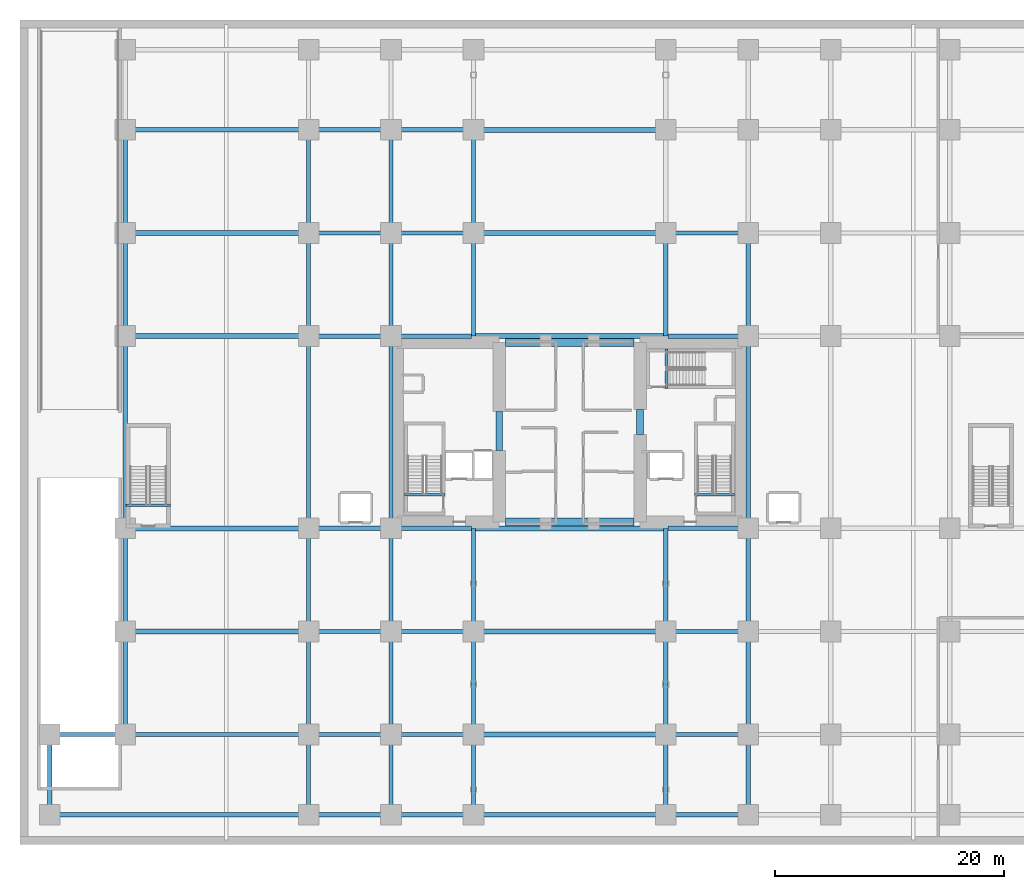
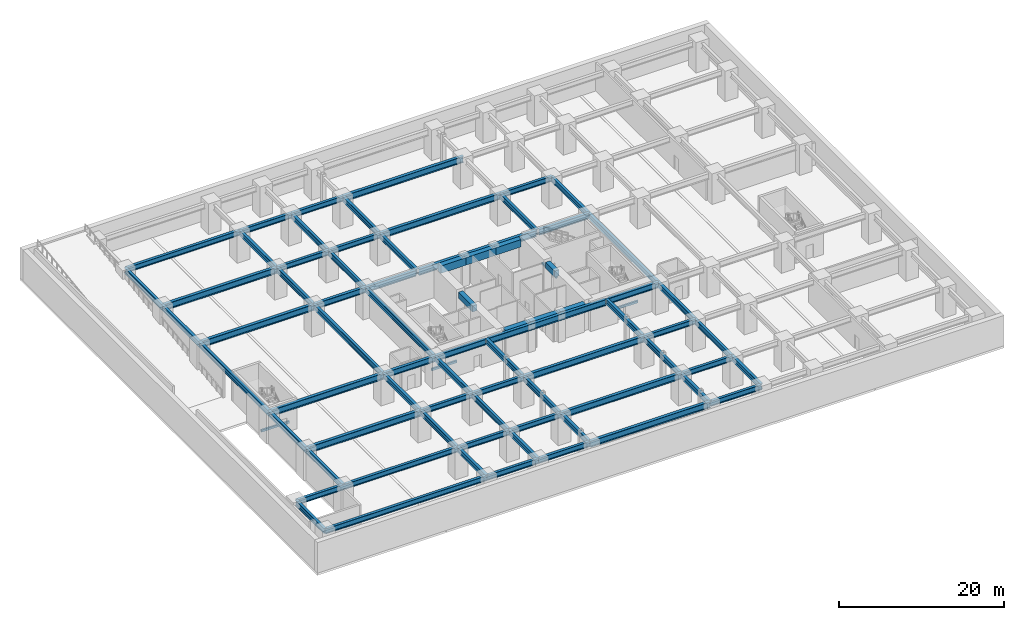
# One storey, part 4 of 20: 78 beams.
"""IFC4 building model written with IfcOpenShell, lengths in metres."""

from ifc_helpers import new_model, si_unit, direction, frame, origin, origin_2d, place, context, subcontext, project, spatial, rectangle, i_section, extrude, material, material_profile, profile_set, type_object, element, save


model = new_model("IFC4")

# Units and contexts
model_context = context("Model", 3, precision=1e-05, world=origin(), true_north=direction((0.0, 1.0)))
body_context = subcontext(model_context, "Body", "Model", "MODEL_VIEW")
ifc_project = project(units=[si_unit("LENGTHUNIT", "METRE"), si_unit("AREAUNIT", "SQUARE_METRE"), si_unit("VOLUMEUNIT", "CUBIC_METRE"), si_unit("PLANEANGLEUNIT", "RADIAN"), si_unit("MASSUNIT", "GRAM", prefix="KILO")], contexts=[model_context])

# Site, building, storey
site_placement = place(None, origin())
site = spatial("IfcSite", under=ifc_project, at=site_placement, CompositionType="ELEMENT")
building_placement = place(site_placement, origin())
building = spatial("IfcBuilding", under=site, at=building_placement, Name="Kiyonajd Concourse Tower", CompositionType="ELEMENT")
storey_placement = place(building_placement, frame((0.0, 0.0, -4.5)))
storey = spatial("IfcBuildingStorey", under=building, at=storey_placement, Name="B1", CompositionType="ELEMENT", Elevation=-4.5)

# Beams
ifc_material_1 = material(Name="Steel ASTM A992 Grade 50", Category="steel")
ifc_material_profile_1 = material_profile(ifc_material_1, i_section(OverallWidth=0.423095703125, OverallDepth=0.93310546875, WebThickness=0.02392578125, FlangeThickness=0.042724609375, at=origin_2d()), Name="W920X446")
ifc_profile_set_1 = profile_set([ifc_material_profile_1], Name="Steel ASTM A992 Grade 50")
beam_type_1 = type_object("IfcBeamType", Name="BM-AUD-920A", PredefinedType="BEAM", material=ifc_profile_set_1)
for number, where, z_axis, x_axis, name in (
    (1, (9.199951171875, 18.60009765625, 3.71337890625), (1.0, 0.0, 0.0), (0.0, 1.0, 0.0), "B1 Auditorium Clear Span Girder"),
    (2, (9.199951171875, 27.60009765625, 3.71337890625), (1.0, 0.0, 0.0), (0.0, 1.0, 0.0), "B1 Auditorium Clear Span Girder"),
    (3, (9.199951171875, 44.39990234375, 3.71337890625), (1.0, 0.0, 0.0), (0.0, 1.0, 0.0), "B1 Auditorium Clear Span Girder"),
    (4, (9.199951171875, 53.39990234375, 3.71337890625), (1.0, 0.0, 0.0), (0.0, 1.0, 0.0), "B1 Auditorium Clear Span Girder"),
):
    element("IfcBeam", number, at=place(storey_placement, frame(where, z_axis=z_axis, x_axis=x_axis)), inside=storey, type_object=beam_type_1, Name=name, PredefinedType="BEAM", context=body_context, shape_type="SweptSolid", body=[
        extrude(i_section(OverallWidth=0.423095703125, OverallDepth=0.93310546875, WebThickness=0.02392578125, FlangeThickness=0.042724609375, at=origin_2d()), origin(), (0.0, 0.0, 1.0), 16.0),
    ])
ifc_material_profile_2 = material_profile(ifc_material_1, i_section(OverallWidth=0.41796875, OverallDepth=0.912109375, WebThickness=0.019287109375, FlangeThickness=0.031982421875, at=origin_2d()), Name="W920X342")
ifc_profile_set_2 = profile_set([ifc_material_profile_2], Name="Steel ASTM A992 Grade 50")
beam_type_2 = type_object("IfcBeamType", Name="BM-CON-920B", PredefinedType="BEAM", material=ifc_profile_set_2)
for number, where, z_axis, x_axis, name in (
    (5, (39.60009765625, 2.60009765625, 3.72412109375), (1.0, 0.0, 0.0), (0.0, 1.0, 0.0), "B1 Concourse Clear Span Girder"),
    (6, (39.60009765625, 9.60009765625, 3.72412109375), (1.0, 0.0, 0.0), (0.0, 1.0, 0.0), "B1 Concourse Clear Span Girder"),
    (7, (39.60009765625, 18.60009765625, 3.72412109375), (1.0, 0.0, 0.0), (0.0, 1.0, 0.0), "B1 Concourse Clear Span Girder"),
):
    element("IfcBeam", number, at=place(storey_placement, frame(where, z_axis=z_axis, x_axis=x_axis)), inside=storey, type_object=beam_type_2, Name=name, PredefinedType="BEAM", context=body_context, shape_type="SweptSolid", body=[
        extrude(i_section(OverallWidth=0.41796875, OverallDepth=0.912109375, WebThickness=0.019287109375, FlangeThickness=0.031982421875, at=origin_2d()), origin(), (0.0, 0.0, 1.0), 16.7998046875),
    ])
for number, where, z_axis, x_axis, name in (
    (8, (39.79052734375, 27.60009765625, 3.72412109375), (1.0, 0.0, 0.0), (0.0, 1.0, 0.0), "B1 Concourse Clear Span Girder"),
    (9, (39.79052734375, 44.39990234375, 3.72412109375), (1.0, 0.0, 0.0), (0.0, 1.0, 0.0), "B1 Concourse Clear Span Girder"),
):
    element("IfcBeam", number, at=place(storey_placement, frame(where, z_axis=z_axis, x_axis=x_axis)), inside=storey, type_object=beam_type_2, Name=name, PredefinedType="BEAM", context=body_context, shape_type="SweptSolid", body=[
        extrude(i_section(OverallWidth=0.41796875, OverallDepth=0.912109375, WebThickness=0.019287109375, FlangeThickness=0.031982421875, at=origin_2d()), origin(), (0.0, 0.0, 1.0), 16.4189453125),
    ])
for number, where, z_axis, x_axis, name in (
    (10, (39.60009765625, 53.39990234375, 3.72412109375), (1.0, 0.0, 0.0), (0.0, 1.0, 0.0), "B1 Concourse Clear Span Girder"),
    (11, (39.60009765625, 62.39990234375, 3.72412109375), (1.0, 0.0, 0.0), (0.0, 1.0, 0.0), "B1 Concourse Clear Span Girder"),
):
    element("IfcBeam", number, at=place(storey_placement, frame(where, z_axis=z_axis, x_axis=x_axis)), inside=storey, type_object=beam_type_2, Name=name, PredefinedType="BEAM", context=body_context, shape_type="SweptSolid", body=[
        extrude(i_section(OverallWidth=0.41796875, OverallDepth=0.912109375, WebThickness=0.019287109375, FlangeThickness=0.031982421875, at=origin_2d()), origin(), (0.0, 0.0, 1.0), 16.7998046875),
    ])
ifc_material_2 = material(Name="Concrete C70/85", Category="concrete")
ifc_material_profile_3 = material_profile(ifc_material_2, rectangle(XDim=0.699951171875, YDim=1.10009765625, at=origin_2d()), Name="RCBM-700x1100")
ifc_profile_set_3 = profile_set([ifc_material_profile_3], Name="Concrete C70/85")
beam_type_3 = type_object("IfcBeamType", Name="BM-COUP-1100", PredefinedType="LINTEL", material=ifc_profile_set_3)
beam_1_placement = place(storey_placement, frame((42.39990234375, 28.14990234375, 3.6298828125), z_axis=(1.0, 0.0, 0.0), x_axis=(0.0, 1.0, 0.0)))
element("IfcBeam", 12, at=beam_1_placement, inside=storey, type_object=beam_type_3, Name="B1 Core Coupling Beam S1", PredefinedType="LINTEL", context=body_context, shape_type="SweptSolid", body=[
    extrude(rectangle(XDim=0.699951171875, YDim=1.10009765625, at=origin_2d()), origin(), (0.0, 0.0, 1.0), 3.5),
])
beam_2_placement = place(storey_placement, frame((45.89990234375, 28.14990234375, 3.6298828125), z_axis=(1.0, 0.0, 0.0), x_axis=(0.0, 1.0, 0.0)))
element("IfcBeam", 13, at=beam_2_placement, inside=storey, type_object=beam_type_3, Name="B1 Core Coupling Beam S2", PredefinedType="LINTEL", context=body_context, shape_type="SweptSolid", body=[
    extrude(rectangle(XDim=0.699951171875, YDim=1.10009765625, at=origin_2d()), origin(), (0.0, 0.0, 1.0), 4.2001953125),
])
for number, where, z_axis, x_axis, name in (
    (14, (50.10009765625, 28.14990234375, 3.6298828125), (1.0, 0.0, 0.0), (0.0, 1.0, 0.0), "B1 Core Coupling Beam S3"),
    (15, (42.39990234375, 43.85009765625, 3.6298828125), (1.0, 0.0, 0.0), (0.0, 1.0, 0.0), "B1 Core Coupling Beam N1"),
):
    element("IfcBeam", number, at=place(storey_placement, frame(where, z_axis=z_axis, x_axis=x_axis)), inside=storey, type_object=beam_type_3, Name=name, PredefinedType="LINTEL", context=body_context, shape_type="SweptSolid", body=[
        extrude(rectangle(XDim=0.699951171875, YDim=1.10009765625, at=origin_2d()), origin(), (0.0, 0.0, 1.0), 3.5),
    ])
beam_3_placement = place(storey_placement, frame((45.89990234375, 43.85009765625, 3.6298828125), z_axis=(1.0, 0.0, 0.0), x_axis=(0.0, 1.0, 0.0)))
element("IfcBeam", 16, at=beam_3_placement, inside=storey, type_object=beam_type_3, Name="B1 Core Coupling Beam N2", PredefinedType="LINTEL", context=body_context, shape_type="SweptSolid", body=[
    extrude(rectangle(XDim=0.699951171875, YDim=1.10009765625, at=origin_2d()), origin(), (0.0, 0.0, 1.0), 4.2001953125),
])
beam_4_placement = place(storey_placement, frame((50.10009765625, 43.85009765625, 3.6298828125), z_axis=(1.0, 0.0, 0.0), x_axis=(0.0, 1.0, 0.0)))
element("IfcBeam", 17, at=beam_4_placement, inside=storey, type_object=beam_type_3, Name="B1 Core Coupling Beam N3", PredefinedType="LINTEL", context=body_context, shape_type="SweptSolid", body=[
    extrude(rectangle(XDim=0.699951171875, YDim=1.10009765625, at=origin_2d()), origin(), (0.0, 0.0, 1.0), 3.5),
])
ifc_material_3 = material(Name="Concrete C60/75", Category="concrete")
ifc_material_profile_4 = material_profile(ifc_material_3, rectangle(XDim=0.60009765625, YDim=0.89990234375, at=origin_2d()), Name="RCBM-600x900")
ifc_profile_set_4 = profile_set([ifc_material_profile_4], Name="Concrete C60/75")
beam_type_4 = type_object("IfcBeamType", Name="BM-COUP-900", PredefinedType="LINTEL", material=ifc_profile_set_4)
beam_5_placement = place(storey_placement, frame((41.85009765625, 34.39990234375, 3.6298828125), z_axis=(0.0, 1.0, 0.0), x_axis=(-1.0, 0.0, 0.0)))
element("IfcBeam", 18, at=beam_5_placement, inside=storey, type_object=beam_type_4, Name="B1 West Core Throat Coupling Lintel", PredefinedType="LINTEL", context=body_context, shape_type="SweptSolid", body=[
    extrude(rectangle(XDim=0.60009765625, YDim=0.89990234375, at=origin_2d()), origin(), (0.0, 0.0, 1.0), 3.400146484375),
])
beam_6_placement = place(storey_placement, frame((54.14990234375, 35.800048828125, 3.6298828125), z_axis=(0.0, 1.0, 0.0), x_axis=(-1.0, 0.0, 0.0)))
element("IfcBeam", 19, at=beam_6_placement, inside=storey, type_object=beam_type_4, Name="B1 East Core Throat Coupling Lintel", PredefinedType="LINTEL", context=body_context, shape_type="SweptSolid", body=[
    extrude(rectangle(XDim=0.60009765625, YDim=0.89990234375, at=origin_2d()), origin(), (0.0, 0.0, 1.0), 2.199951171875),
])
ifc_material_4 = material(Name="Concrete C50/60", Category="concrete")
ifc_material_profile_5 = material_profile(ifc_material_4, rectangle(XDim=0.239990234375, YDim=0.320068359375, at=origin_2d()), Name="RCBM-240x320")
ifc_profile_set_5 = profile_set([ifc_material_profile_5], Name="Concrete C50/60")
beam_type_5 = type_object("IfcBeamType", Name="BM-LNT-250", PredefinedType="LINTEL", material=ifc_profile_set_5)
for number, where, z_axis, x_axis, name in (
    (20, (33.590087890625, 30.530029296875, -0.159912109375), (1.0, 0.0, 0.0), (0.0, 1.0, 0.0), "B1 Stair ST1 Threshold Support Beam"),
    (21, (58.889892578125, 30.530029296875, -0.159912109375), (1.0, 0.0, 0.0), (0.0, 1.0, 0.0), "B1 Stair ST2 Threshold Support Beam"),
):
    element("IfcBeam", number, at=place(storey_placement, frame(where, z_axis=z_axis, x_axis=x_axis)), inside=storey, type_object=beam_type_5, Name=name, PredefinedType="LINTEL", context=body_context, shape_type="SweptSolid", body=[
        extrude(rectangle(XDim=0.239990234375, YDim=0.320068359375, at=origin_2d()), origin(), (0.0, 0.0, 1.0), 3.52001953125),
    ])
beam_7_placement = place(storey_placement, frame((56.4599609375, 39.820068359375, -0.159912109375), z_axis=(0.0, 1.0, 0.0), x_axis=(-1.0, 0.0, 0.0)))
element("IfcBeam", 22, at=beam_7_placement, inside=storey, type_object=beam_type_5, Name="B1 Stair ST3 Threshold Support Beam", PredefinedType="LINTEL", context=body_context, shape_type="SweptSolid", body=[
    extrude(rectangle(XDim=0.239990234375, YDim=0.320068359375, at=origin_2d()), origin(), (0.0, 0.0, 1.0), 3.4599609375),
])
beam_8_placement = place(storey_placement, frame((9.25, 29.6298828125, -0.159912109375), z_axis=(1.0, 0.0, 0.0), x_axis=(0.0, 1.0, 0.0)))
element("IfcBeam", 23, at=beam_8_placement, inside=storey, type_object=beam_type_5, Name="B1 Stair ST4 Threshold Support Beam", PredefinedType="LINTEL", context=body_context, shape_type="SweptSolid", body=[
    extrude(rectangle(XDim=0.239990234375, YDim=0.320068359375, at=origin_2d()), origin(), (0.0, 0.0, 1.0), 3.89990234375),
])
ifc_material_profile_6 = material_profile(ifc_material_1, i_section(OverallWidth=0.381103515625, OverallDepth=0.77294921875, WebThickness=0.0166015625, FlangeThickness=0.027099609375, at=origin_2d()), Name="W760X257")
ifc_profile_set_6 = profile_set([ifc_material_profile_6], Name="Steel ASTM A992 Grade 50")
beam_type_6 = type_object("IfcBeamType", Name="BM-POD-760", PredefinedType="BEAM", material=ifc_profile_set_6)
beam_9_placement = place(storey_placement, frame((2.60009765625, 2.60009765625, 3.79345703125), z_axis=(1.0, 0.0, 0.0), x_axis=(0.0, 1.0, 0.0)))
element("IfcBeam", 24, at=beam_9_placement, inside=storey, type_object=beam_type_6, Name="B1 Podium Primary Beam", PredefinedType="BEAM", context=body_context, shape_type="SweptSolid", body=[
    extrude(i_section(OverallWidth=0.381103515625, OverallDepth=0.77294921875, WebThickness=0.0166015625, FlangeThickness=0.027099609375, at=origin_2d()), origin(), (0.0, 0.0, 1.0), 22.599853515625),
])
beam_10_placement = place(storey_placement, frame((25.199951171875, 2.60009765625, 3.79345703125), z_axis=(1.0, 0.0, 0.0), x_axis=(0.0, 1.0, 0.0)))
element("IfcBeam", 25, at=beam_10_placement, inside=storey, type_object=beam_type_6, Name="B1 Podium Primary Beam", PredefinedType="BEAM", context=body_context, shape_type="SweptSolid", body=[
    extrude(i_section(OverallWidth=0.381103515625, OverallDepth=0.77294921875, WebThickness=0.0166015625, FlangeThickness=0.027099609375, at=origin_2d()), origin(), (0.0, 0.0, 1.0), 7.199951171875),
])
for number, where, z_axis, x_axis, name in (
    (26, (32.39990234375, 2.60009765625, 3.79345703125), (1.0, 0.0, 0.0), (0.0, 1.0, 0.0), "B1 Podium Primary Beam"),
    (27, (56.39990234375, 2.60009765625, 3.79345703125), (1.0, 0.0, 0.0), (0.0, 1.0, 0.0), "B1 Podium Primary Beam"),
):
    element("IfcBeam", number, at=place(storey_placement, frame(where, z_axis=z_axis, x_axis=x_axis)), inside=storey, type_object=beam_type_6, Name=name, PredefinedType="BEAM", context=body_context, shape_type="SweptSolid", body=[
        extrude(i_section(OverallWidth=0.381103515625, OverallDepth=0.77294921875, WebThickness=0.0166015625, FlangeThickness=0.027099609375, at=origin_2d()), origin(), (0.0, 0.0, 1.0), 7.2001953125),
    ])
beam_11_placement = place(storey_placement, frame((2.60009765625, 9.60009765625, 3.79345703125), z_axis=(1.0, 0.0, 0.0), x_axis=(0.0, 1.0, 0.0)))
element("IfcBeam", 28, at=beam_11_placement, inside=storey, type_object=beam_type_6, Name="B1 Podium Primary Beam", PredefinedType="BEAM", context=body_context, shape_type="SweptSolid", body=[
    extrude(i_section(OverallWidth=0.381103515625, OverallDepth=0.77294921875, WebThickness=0.0166015625, FlangeThickness=0.027099609375, at=origin_2d()), origin(), (0.0, 0.0, 1.0), 22.599853515625),
])
beam_12_placement = place(storey_placement, frame((25.199951171875, 9.60009765625, 3.79345703125), z_axis=(1.0, 0.0, 0.0), x_axis=(0.0, 1.0, 0.0)))
element("IfcBeam", 29, at=beam_12_placement, inside=storey, type_object=beam_type_6, Name="B1 Podium Primary Beam", PredefinedType="BEAM", context=body_context, shape_type="SweptSolid", body=[
    extrude(i_section(OverallWidth=0.381103515625, OverallDepth=0.77294921875, WebThickness=0.0166015625, FlangeThickness=0.027099609375, at=origin_2d()), origin(), (0.0, 0.0, 1.0), 7.199951171875),
])
for number, where, z_axis, x_axis, name in (
    (30, (32.39990234375, 9.60009765625, 3.79345703125), (1.0, 0.0, 0.0), (0.0, 1.0, 0.0), "B1 Podium Primary Beam"),
    (31, (56.39990234375, 9.60009765625, 3.79345703125), (1.0, 0.0, 0.0), (0.0, 1.0, 0.0), "B1 Podium Primary Beam"),
):
    element("IfcBeam", number, at=place(storey_placement, frame(where, z_axis=z_axis, x_axis=x_axis)), inside=storey, type_object=beam_type_6, Name=name, PredefinedType="BEAM", context=body_context, shape_type="SweptSolid", body=[
        extrude(i_section(OverallWidth=0.381103515625, OverallDepth=0.77294921875, WebThickness=0.0166015625, FlangeThickness=0.027099609375, at=origin_2d()), origin(), (0.0, 0.0, 1.0), 7.2001953125),
    ])
beam_13_placement = place(storey_placement, frame((25.199951171875, 18.60009765625, 3.79345703125), z_axis=(1.0, 0.0, 0.0), x_axis=(0.0, 1.0, 0.0)))
element("IfcBeam", 32, at=beam_13_placement, inside=storey, type_object=beam_type_6, Name="B1 Podium Primary Beam", PredefinedType="BEAM", context=body_context, shape_type="SweptSolid", body=[
    extrude(i_section(OverallWidth=0.381103515625, OverallDepth=0.77294921875, WebThickness=0.0166015625, FlangeThickness=0.027099609375, at=origin_2d()), origin(), (0.0, 0.0, 1.0), 7.199951171875),
])
for number, where, z_axis, x_axis, name in (
    (33, (32.39990234375, 18.60009765625, 3.79345703125), (1.0, 0.0, 0.0), (0.0, 1.0, 0.0), "B1 Podium Primary Beam"),
    (34, (56.39990234375, 18.60009765625, 3.79345703125), (1.0, 0.0, 0.0), (0.0, 1.0, 0.0), "B1 Podium Primary Beam"),
):
    element("IfcBeam", number, at=place(storey_placement, frame(where, z_axis=z_axis, x_axis=x_axis)), inside=storey, type_object=beam_type_6, Name=name, PredefinedType="BEAM", context=body_context, shape_type="SweptSolid", body=[
        extrude(i_section(OverallWidth=0.381103515625, OverallDepth=0.77294921875, WebThickness=0.0166015625, FlangeThickness=0.027099609375, at=origin_2d()), origin(), (0.0, 0.0, 1.0), 7.2001953125),
    ])
beam_14_placement = place(storey_placement, frame((25.199951171875, 53.39990234375, 3.79345703125), z_axis=(1.0, 0.0, 0.0), x_axis=(0.0, 1.0, 0.0)))
element("IfcBeam", 35, at=beam_14_placement, inside=storey, type_object=beam_type_6, Name="B1 Podium Primary Beam", PredefinedType="BEAM", context=body_context, shape_type="SweptSolid", body=[
    extrude(i_section(OverallWidth=0.381103515625, OverallDepth=0.77294921875, WebThickness=0.0166015625, FlangeThickness=0.027099609375, at=origin_2d()), origin(), (0.0, 0.0, 1.0), 7.199951171875),
])
for number, where, z_axis, x_axis, name in (
    (36, (32.39990234375, 53.39990234375, 3.79345703125), (1.0, 0.0, 0.0), (0.0, 1.0, 0.0), "B1 Podium Primary Beam"),
    (37, (56.39990234375, 53.39990234375, 3.79345703125), (1.0, 0.0, 0.0), (0.0, 1.0, 0.0), "B1 Podium Primary Beam"),
):
    element("IfcBeam", number, at=place(storey_placement, frame(where, z_axis=z_axis, x_axis=x_axis)), inside=storey, type_object=beam_type_6, Name=name, PredefinedType="BEAM", context=body_context, shape_type="SweptSolid", body=[
        extrude(i_section(OverallWidth=0.381103515625, OverallDepth=0.77294921875, WebThickness=0.0166015625, FlangeThickness=0.027099609375, at=origin_2d()), origin(), (0.0, 0.0, 1.0), 7.2001953125),
    ])
beam_15_placement = place(storey_placement, frame((9.199951171875, 62.39990234375, 3.79345703125), z_axis=(1.0, 0.0, 0.0), x_axis=(0.0, 1.0, 0.0)))
element("IfcBeam", 38, at=beam_15_placement, inside=storey, type_object=beam_type_6, Name="B1 Podium Primary Beam", PredefinedType="BEAM", context=body_context, shape_type="SweptSolid", body=[
    extrude(i_section(OverallWidth=0.381103515625, OverallDepth=0.77294921875, WebThickness=0.0166015625, FlangeThickness=0.027099609375, at=origin_2d()), origin(), (0.0, 0.0, 1.0), 16.0),
])
beam_16_placement = place(storey_placement, frame((25.199951171875, 62.39990234375, 3.79345703125), z_axis=(1.0, 0.0, 0.0), x_axis=(0.0, 1.0, 0.0)))
element("IfcBeam", 39, at=beam_16_placement, inside=storey, type_object=beam_type_6, Name="B1 Podium Primary Beam", PredefinedType="BEAM", context=body_context, shape_type="SweptSolid", body=[
    extrude(i_section(OverallWidth=0.381103515625, OverallDepth=0.77294921875, WebThickness=0.0166015625, FlangeThickness=0.027099609375, at=origin_2d()), origin(), (0.0, 0.0, 1.0), 7.199951171875),
])
beam_17_placement = place(storey_placement, frame((32.39990234375, 62.39990234375, 3.79345703125), z_axis=(1.0, 0.0, 0.0), x_axis=(0.0, 1.0, 0.0)))
element("IfcBeam", 40, at=beam_17_placement, inside=storey, type_object=beam_type_6, Name="B1 Podium Primary Beam", PredefinedType="BEAM", context=body_context, shape_type="SweptSolid", body=[
    extrude(i_section(OverallWidth=0.381103515625, OverallDepth=0.77294921875, WebThickness=0.0166015625, FlangeThickness=0.027099609375, at=origin_2d()), origin(), (0.0, 0.0, 1.0), 7.2001953125),
])
beam_18_placement = place(storey_placement, frame((2.60009765625, 2.60009765625, 3.79345703125), z_axis=(0.0, 1.0, 0.0), x_axis=(-1.0, 0.0, 0.0)))
element("IfcBeam", 41, at=beam_18_placement, inside=storey, type_object=beam_type_6, Name="B1 Podium North South Beam", PredefinedType="BEAM", context=body_context, shape_type="SweptSolid", body=[
    extrude(i_section(OverallWidth=0.381103515625, OverallDepth=0.77294921875, WebThickness=0.0166015625, FlangeThickness=0.027099609375, at=origin_2d()), origin(), (0.0, 0.0, 1.0), 7.0),
])
for number, where, z_axis, x_axis, name in (
    (42, (9.199951171875, 9.60009765625, 3.79345703125), (0.0, 1.0, 0.0), (-1.0, 0.0, 0.0), "B1 Podium North South Beam"),
    (43, (9.199951171875, 18.60009765625, 3.79345703125), (0.0, 1.0, 0.0), (-1.0, 0.0, 0.0), "B1 Podium North South Beam"),
):
    element("IfcBeam", number, at=place(storey_placement, frame(where, z_axis=z_axis, x_axis=x_axis)), inside=storey, type_object=beam_type_6, Name=name, PredefinedType="BEAM", context=body_context, shape_type="SweptSolid", body=[
        extrude(i_section(OverallWidth=0.381103515625, OverallDepth=0.77294921875, WebThickness=0.0166015625, FlangeThickness=0.027099609375, at=origin_2d()), origin(), (0.0, 0.0, 1.0), 9.0),
    ])
beam_19_placement = place(storey_placement, frame((9.199951171875, 27.60009765625, 3.79345703125), z_axis=(0.0, 1.0, 0.0), x_axis=(-1.0, 0.0, 0.0)))
element("IfcBeam", 44, at=beam_19_placement, inside=storey, type_object=beam_type_6, Name="B1 Podium North South Beam", PredefinedType="BEAM", context=body_context, shape_type="SweptSolid", body=[
    extrude(i_section(OverallWidth=0.381103515625, OverallDepth=0.77294921875, WebThickness=0.0166015625, FlangeThickness=0.027099609375, at=origin_2d()), origin(), (0.0, 0.0, 1.0), 16.7998046875),
])
for number, where, z_axis, x_axis, name in (
    (45, (9.199951171875, 44.39990234375, 3.79345703125), (0.0, 1.0, 0.0), (-1.0, 0.0, 0.0), "B1 Podium North South Beam"),
    (46, (9.199951171875, 53.39990234375, 3.79345703125), (0.0, 1.0, 0.0), (-1.0, 0.0, 0.0), "B1 Podium North South Beam"),
):
    element("IfcBeam", number, at=place(storey_placement, frame(where, z_axis=z_axis, x_axis=x_axis)), inside=storey, type_object=beam_type_6, Name=name, PredefinedType="BEAM", context=body_context, shape_type="SweptSolid", body=[
        extrude(i_section(OverallWidth=0.381103515625, OverallDepth=0.77294921875, WebThickness=0.0166015625, FlangeThickness=0.027099609375, at=origin_2d()), origin(), (0.0, 0.0, 1.0), 9.0),
    ])
beam_20_placement = place(storey_placement, frame((25.199951171875, 2.60009765625, 3.79345703125), z_axis=(0.0, 1.0, 0.0), x_axis=(-1.0, 0.0, 0.0)))
element("IfcBeam", 47, at=beam_20_placement, inside=storey, type_object=beam_type_6, Name="B1 Podium North South Beam", PredefinedType="BEAM", context=body_context, shape_type="SweptSolid", body=[
    extrude(i_section(OverallWidth=0.381103515625, OverallDepth=0.77294921875, WebThickness=0.0166015625, FlangeThickness=0.027099609375, at=origin_2d()), origin(), (0.0, 0.0, 1.0), 7.0),
])
for number, where, z_axis, x_axis, name in (
    (48, (25.199951171875, 9.60009765625, 3.79345703125), (0.0, 1.0, 0.0), (-1.0, 0.0, 0.0), "B1 Podium North South Beam"),
    (49, (25.199951171875, 18.60009765625, 3.79345703125), (0.0, 1.0, 0.0), (-1.0, 0.0, 0.0), "B1 Podium North South Beam"),
):
    element("IfcBeam", number, at=place(storey_placement, frame(where, z_axis=z_axis, x_axis=x_axis)), inside=storey, type_object=beam_type_6, Name=name, PredefinedType="BEAM", context=body_context, shape_type="SweptSolid", body=[
        extrude(i_section(OverallWidth=0.381103515625, OverallDepth=0.77294921875, WebThickness=0.0166015625, FlangeThickness=0.027099609375, at=origin_2d()), origin(), (0.0, 0.0, 1.0), 9.0),
    ])
beam_21_placement = place(storey_placement, frame((25.199951171875, 27.60009765625, 3.79345703125), z_axis=(0.0, 1.0, 0.0), x_axis=(-1.0, 0.0, 0.0)))
element("IfcBeam", 50, at=beam_21_placement, inside=storey, type_object=beam_type_6, Name="B1 Podium North South Beam", PredefinedType="BEAM", context=body_context, shape_type="SweptSolid", body=[
    extrude(i_section(OverallWidth=0.381103515625, OverallDepth=0.77294921875, WebThickness=0.0166015625, FlangeThickness=0.027099609375, at=origin_2d()), origin(), (0.0, 0.0, 1.0), 16.7998046875),
])
for number, where, z_axis, x_axis, name in (
    (51, (25.199951171875, 44.39990234375, 3.79345703125), (0.0, 1.0, 0.0), (-1.0, 0.0, 0.0), "B1 Podium North South Beam"),
    (52, (25.199951171875, 53.39990234375, 3.79345703125), (0.0, 1.0, 0.0), (-1.0, 0.0, 0.0), "B1 Podium North South Beam"),
):
    element("IfcBeam", number, at=place(storey_placement, frame(where, z_axis=z_axis, x_axis=x_axis)), inside=storey, type_object=beam_type_6, Name=name, PredefinedType="BEAM", context=body_context, shape_type="SweptSolid", body=[
        extrude(i_section(OverallWidth=0.381103515625, OverallDepth=0.77294921875, WebThickness=0.0166015625, FlangeThickness=0.027099609375, at=origin_2d()), origin(), (0.0, 0.0, 1.0), 9.0),
    ])
beam_22_placement = place(storey_placement, frame((32.39990234375, 2.60009765625, 3.79345703125), z_axis=(0.0, 1.0, 0.0), x_axis=(-1.0, 0.0, 0.0)))
element("IfcBeam", 53, at=beam_22_placement, inside=storey, type_object=beam_type_6, Name="B1 Podium North South Beam", PredefinedType="BEAM", context=body_context, shape_type="SweptSolid", body=[
    extrude(i_section(OverallWidth=0.381103515625, OverallDepth=0.77294921875, WebThickness=0.0166015625, FlangeThickness=0.027099609375, at=origin_2d()), origin(), (0.0, 0.0, 1.0), 7.0),
])
for number, where, z_axis, x_axis, name in (
    (54, (32.39990234375, 9.60009765625, 3.79345703125), (0.0, 1.0, 0.0), (-1.0, 0.0, 0.0), "B1 Podium North South Beam"),
    (55, (32.39990234375, 18.60009765625, 3.79345703125), (0.0, 1.0, 0.0), (-1.0, 0.0, 0.0), "B1 Podium North South Beam"),
):
    element("IfcBeam", number, at=place(storey_placement, frame(where, z_axis=z_axis, x_axis=x_axis)), inside=storey, type_object=beam_type_6, Name=name, PredefinedType="BEAM", context=body_context, shape_type="SweptSolid", body=[
        extrude(i_section(OverallWidth=0.381103515625, OverallDepth=0.77294921875, WebThickness=0.0166015625, FlangeThickness=0.027099609375, at=origin_2d()), origin(), (0.0, 0.0, 1.0), 9.0),
    ])
beam_23_placement = place(storey_placement, frame((32.39990234375, 27.60009765625, 3.79345703125), z_axis=(0.0, 1.0, 0.0), x_axis=(-1.0, 0.0, 0.0)))
element("IfcBeam", 56, at=beam_23_placement, inside=storey, type_object=beam_type_6, Name="B1 Podium North South Beam", PredefinedType="BEAM", context=body_context, shape_type="SweptSolid", body=[
    extrude(i_section(OverallWidth=0.381103515625, OverallDepth=0.77294921875, WebThickness=0.0166015625, FlangeThickness=0.027099609375, at=origin_2d()), origin(), (0.0, 0.0, 1.0), 16.7998046875),
])
for number, where, z_axis, x_axis, name in (
    (57, (32.39990234375, 44.39990234375, 3.79345703125), (0.0, 1.0, 0.0), (-1.0, 0.0, 0.0), "B1 Podium North South Beam"),
    (58, (32.39990234375, 53.39990234375, 3.79345703125), (0.0, 1.0, 0.0), (-1.0, 0.0, 0.0), "B1 Podium North South Beam"),
):
    element("IfcBeam", number, at=place(storey_placement, frame(where, z_axis=z_axis, x_axis=x_axis)), inside=storey, type_object=beam_type_6, Name=name, PredefinedType="BEAM", context=body_context, shape_type="SweptSolid", body=[
        extrude(i_section(OverallWidth=0.381103515625, OverallDepth=0.77294921875, WebThickness=0.0166015625, FlangeThickness=0.027099609375, at=origin_2d()), origin(), (0.0, 0.0, 1.0), 9.0),
    ])
beam_24_placement = place(storey_placement, frame((39.60009765625, 2.60009765625, 3.79345703125), z_axis=(0.0, 1.0, 0.0), x_axis=(-1.0, 0.0, 0.0)))
element("IfcBeam", 59, at=beam_24_placement, inside=storey, type_object=beam_type_6, Name="B1 Podium North South Beam", PredefinedType="BEAM", context=body_context, shape_type="SweptSolid", body=[
    extrude(i_section(OverallWidth=0.381103515625, OverallDepth=0.77294921875, WebThickness=0.0166015625, FlangeThickness=0.027099609375, at=origin_2d()), origin(), (0.0, 0.0, 1.0), 7.0),
])
for number, where, z_axis, x_axis, name in (
    (60, (39.60009765625, 9.60009765625, 3.79345703125), (0.0, 1.0, 0.0), (-1.0, 0.0, 0.0), "B1 Podium North South Beam"),
    (61, (39.60009765625, 18.60009765625, 3.79345703125), (0.0, 1.0, 0.0), (-1.0, 0.0, 0.0), "B1 Podium North South Beam"),
    (62, (39.60009765625, 44.39990234375, 3.79345703125), (0.0, 1.0, 0.0), (-1.0, 0.0, 0.0), "B1 Podium North South Beam"),
    (63, (39.60009765625, 53.39990234375, 3.79345703125), (0.0, 1.0, 0.0), (-1.0, 0.0, 0.0), "B1 Podium North South Beam"),
):
    element("IfcBeam", number, at=place(storey_placement, frame(where, z_axis=z_axis, x_axis=x_axis)), inside=storey, type_object=beam_type_6, Name=name, PredefinedType="BEAM", context=body_context, shape_type="SweptSolid", body=[
        extrude(i_section(OverallWidth=0.381103515625, OverallDepth=0.77294921875, WebThickness=0.0166015625, FlangeThickness=0.027099609375, at=origin_2d()), origin(), (0.0, 0.0, 1.0), 9.0),
    ])
beam_25_placement = place(storey_placement, frame((56.39990234375, 2.60009765625, 3.79345703125), z_axis=(0.0, 1.0, 0.0), x_axis=(-1.0, 0.0, 0.0)))
element("IfcBeam", 64, at=beam_25_placement, inside=storey, type_object=beam_type_6, Name="B1 Podium North South Beam", PredefinedType="BEAM", context=body_context, shape_type="SweptSolid", body=[
    extrude(i_section(OverallWidth=0.381103515625, OverallDepth=0.77294921875, WebThickness=0.0166015625, FlangeThickness=0.027099609375, at=origin_2d()), origin(), (0.0, 0.0, 1.0), 7.0),
])
for number, where, z_axis, x_axis, name in (
    (65, (56.39990234375, 9.60009765625, 3.79345703125), (0.0, 1.0, 0.0), (-1.0, 0.0, 0.0), "B1 Podium North South Beam"),
    (66, (56.39990234375, 18.60009765625, 3.79345703125), (0.0, 1.0, 0.0), (-1.0, 0.0, 0.0), "B1 Podium North South Beam"),
    (67, (56.39990234375, 44.39990234375, 3.79345703125), (0.0, 1.0, 0.0), (-1.0, 0.0, 0.0), "B1 Podium North South Beam"),
):
    element("IfcBeam", number, at=place(storey_placement, frame(where, z_axis=z_axis, x_axis=x_axis)), inside=storey, type_object=beam_type_6, Name=name, PredefinedType="BEAM", context=body_context, shape_type="SweptSolid", body=[
        extrude(i_section(OverallWidth=0.381103515625, OverallDepth=0.77294921875, WebThickness=0.0166015625, FlangeThickness=0.027099609375, at=origin_2d()), origin(), (0.0, 0.0, 1.0), 9.0),
    ])
beam_26_placement = place(storey_placement, frame((63.60009765625, 2.60009765625, 3.79345703125), z_axis=(0.0, 1.0, 0.0), x_axis=(-1.0, 0.0, 0.0)))
element("IfcBeam", 68, at=beam_26_placement, inside=storey, type_object=beam_type_6, Name="B1 Podium North South Beam", PredefinedType="BEAM", context=body_context, shape_type="SweptSolid", body=[
    extrude(i_section(OverallWidth=0.381103515625, OverallDepth=0.77294921875, WebThickness=0.0166015625, FlangeThickness=0.027099609375, at=origin_2d()), origin(), (0.0, 0.0, 1.0), 7.0),
])
for number, where, z_axis, x_axis, name in (
    (69, (63.60009765625, 9.60009765625, 3.79345703125), (0.0, 1.0, 0.0), (-1.0, 0.0, 0.0), "B1 Podium North South Beam"),
    (70, (63.60009765625, 18.60009765625, 3.79345703125), (0.0, 1.0, 0.0), (-1.0, 0.0, 0.0), "B1 Podium North South Beam"),
):
    element("IfcBeam", number, at=place(storey_placement, frame(where, z_axis=z_axis, x_axis=x_axis)), inside=storey, type_object=beam_type_6, Name=name, PredefinedType="BEAM", context=body_context, shape_type="SweptSolid", body=[
        extrude(i_section(OverallWidth=0.381103515625, OverallDepth=0.77294921875, WebThickness=0.0166015625, FlangeThickness=0.027099609375, at=origin_2d()), origin(), (0.0, 0.0, 1.0), 9.0),
    ])
beam_27_placement = place(storey_placement, frame((63.60009765625, 27.60009765625, 3.79345703125), z_axis=(0.0, 1.0, 0.0), x_axis=(-1.0, 0.0, 0.0)))
element("IfcBeam", 71, at=beam_27_placement, inside=storey, type_object=beam_type_6, Name="B1 Podium North South Beam", PredefinedType="BEAM", context=body_context, shape_type="SweptSolid", body=[
    extrude(i_section(OverallWidth=0.381103515625, OverallDepth=0.77294921875, WebThickness=0.0166015625, FlangeThickness=0.027099609375, at=origin_2d()), origin(), (0.0, 0.0, 1.0), 16.7998046875),
])
beam_28_placement = place(storey_placement, frame((63.60009765625, 44.39990234375, 3.79345703125), z_axis=(0.0, 1.0, 0.0), x_axis=(-1.0, 0.0, 0.0)))
element("IfcBeam", 72, at=beam_28_placement, inside=storey, type_object=beam_type_6, Name="B1 Podium North South Beam", PredefinedType="BEAM", context=body_context, shape_type="SweptSolid", body=[
    extrude(i_section(OverallWidth=0.381103515625, OverallDepth=0.77294921875, WebThickness=0.0166015625, FlangeThickness=0.027099609375, at=origin_2d()), origin(), (0.0, 0.0, 1.0), 9.0),
])
ifc_material_profile_7 = material_profile(ifc_material_1, i_section(OverallWidth=0.39990234375, OverallDepth=0.85498046875, WebThickness=0.018310546875, FlangeThickness=0.029296875, at=origin_2d()), Name="W840X299")
ifc_profile_set_7 = profile_set([ifc_material_profile_7], Name="Steel ASTM A992 Grade 50")
beam_type_7 = type_object("IfcBeamType", Name="BM-POD-840", PredefinedType="BEAM", material=ifc_profile_set_7)
beam_29_placement = place(storey_placement, frame((25.199951171875, 27.60009765625, 3.75244140625), z_axis=(1.0, 0.0, 0.0), x_axis=(0.0, 1.0, 0.0)))
element("IfcBeam", 73, at=beam_29_placement, inside=storey, type_object=beam_type_7, Name="B1 Podium Primary Beam", PredefinedType="BEAM", context=body_context, shape_type="SweptSolid", body=[
    extrude(i_section(OverallWidth=0.39990234375, OverallDepth=0.85498046875, WebThickness=0.018310546875, FlangeThickness=0.029296875, at=origin_2d()), origin(), (0.0, 0.0, 1.0), 7.199951171875),
])
for number, where, z_axis, x_axis, name in (
    (74, (32.39990234375, 27.60009765625, 3.75244140625), (1.0, 0.0, 0.0), (0.0, 1.0, 0.0), "B1 Podium Primary Beam"),
    (75, (56.590576171875, 27.60009765625, 3.75244140625), (1.0, 0.0, 0.0), (0.0, 1.0, 0.0), "B1 Podium Primary Beam"),
):
    element("IfcBeam", number, at=place(storey_placement, frame(where, z_axis=z_axis, x_axis=x_axis)), inside=storey, type_object=beam_type_7, Name=name, PredefinedType="BEAM", context=body_context, shape_type="SweptSolid", body=[
        extrude(i_section(OverallWidth=0.39990234375, OverallDepth=0.85498046875, WebThickness=0.018310546875, FlangeThickness=0.029296875, at=origin_2d()), origin(), (0.0, 0.0, 1.0), 7.009521484375),
    ])
beam_30_placement = place(storey_placement, frame((25.199951171875, 44.39990234375, 3.75244140625), z_axis=(1.0, 0.0, 0.0), x_axis=(0.0, 1.0, 0.0)))
element("IfcBeam", 76, at=beam_30_placement, inside=storey, type_object=beam_type_7, Name="B1 Podium Primary Beam", PredefinedType="BEAM", context=body_context, shape_type="SweptSolid", body=[
    extrude(i_section(OverallWidth=0.39990234375, OverallDepth=0.85498046875, WebThickness=0.018310546875, FlangeThickness=0.029296875, at=origin_2d()), origin(), (0.0, 0.0, 1.0), 7.199951171875),
])
for number, where, z_axis, x_axis, name in (
    (77, (32.39990234375, 44.39990234375, 3.75244140625), (1.0, 0.0, 0.0), (0.0, 1.0, 0.0), "B1 Podium Primary Beam"),
    (78, (56.590576171875, 44.39990234375, 3.75244140625), (1.0, 0.0, 0.0), (0.0, 1.0, 0.0), "B1 Podium Primary Beam"),
):
    element("IfcBeam", number, at=place(storey_placement, frame(where, z_axis=z_axis, x_axis=x_axis)), inside=storey, type_object=beam_type_7, Name=name, PredefinedType="BEAM", context=body_context, shape_type="SweptSolid", body=[
        extrude(i_section(OverallWidth=0.39990234375, OverallDepth=0.85498046875, WebThickness=0.018310546875, FlangeThickness=0.029296875, at=origin_2d()), origin(), (0.0, 0.0, 1.0), 7.009521484375),
    ])

save(model, "model.ifc")
